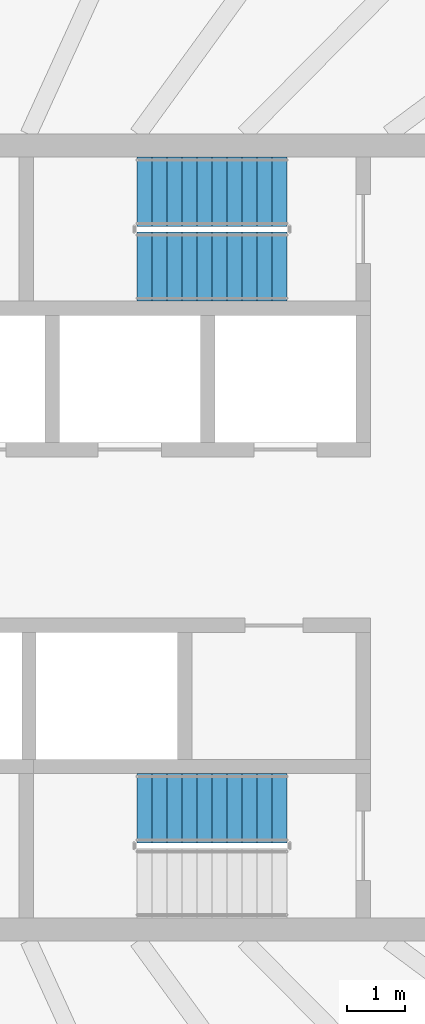
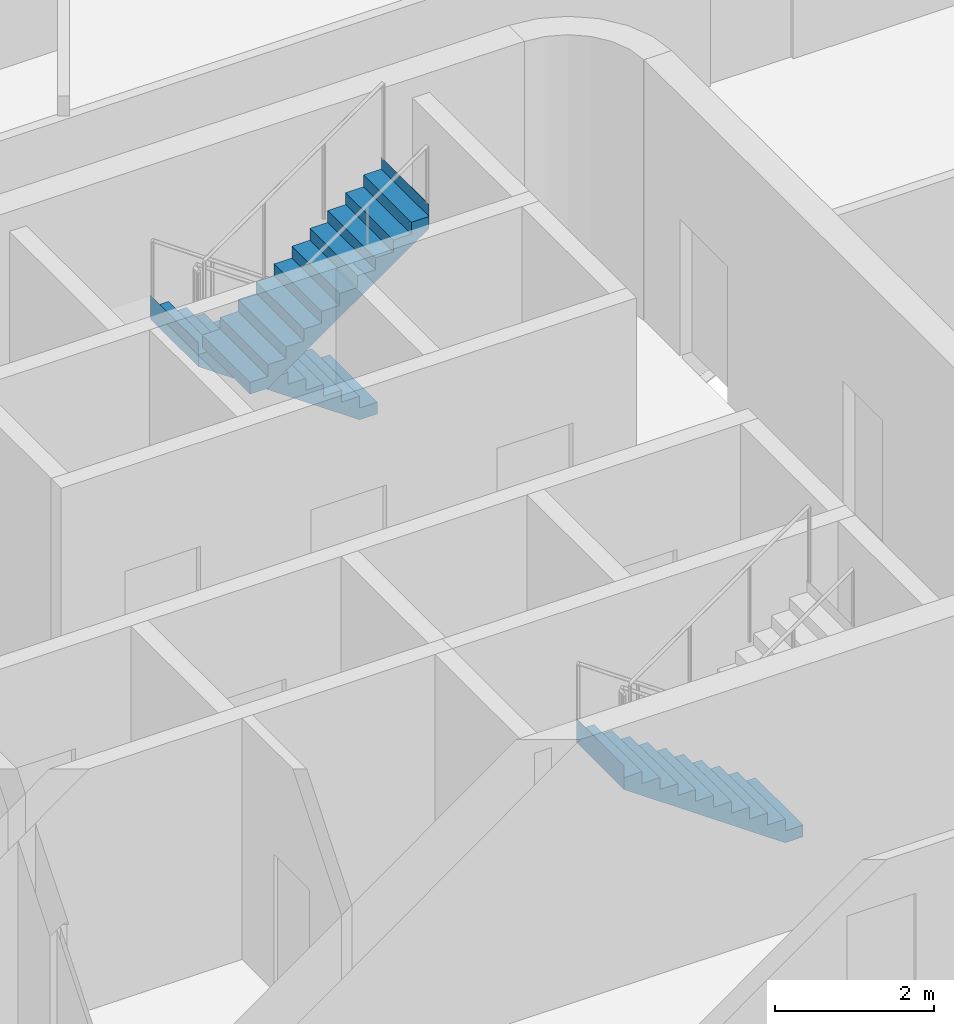
# One storey, part 15 of 20: 3 stair flights, 2 elements without a shape of their own.
"""IFC4 building model written with IfcOpenShell, lengths in metres."""

from ifc_helpers import new_model, si_unit, direction, frame, origin, place, context, subcontext, project, spatial, triangles, material, type_object, element, aggregate, save


model = new_model("IFC4")

# Units and contexts
model_context = context("Model", 3, precision=1e-05, world=origin(), true_north=direction((0.0, 1.0)))
body_context = subcontext(model_context, "Body", "Model", "MODEL_VIEW")
ifc_project = project(units=[si_unit("LENGTHUNIT", "METRE"), si_unit("AREAUNIT", "SQUARE_METRE"), si_unit("VOLUMEUNIT", "CUBIC_METRE"), si_unit("PLANEANGLEUNIT", "RADIAN"), si_unit("MASSUNIT", "GRAM", prefix="KILO")], contexts=[model_context])

# Site, building, storey
site_placement = place(None, origin())
site = spatial("IfcSite", under=ifc_project, at=site_placement, CompositionType="ELEMENT")
building_placement = place(site_placement, origin())
building = spatial("IfcBuilding", under=site, at=building_placement, Name="Sahrelin Media Tower", CompositionType="ELEMENT")
storey_placement = place(building_placement, frame((0.0, 0.0, 245.60009765625)))
storey = spatial("IfcBuildingStorey", under=building, at=storey_placement, Name="L53", CompositionType="ELEMENT", Elevation=245.60009765625)

# Stair, stair flights
ifc_material = material(Name="Concrete C40/50", Category="concrete")
stair_type = type_object("IfcStairType", Name="Exit stair 1200", PredefinedType="HALF_TURN_STAIR", material=ifc_material)
placement = place(storey_placement, origin())
stair_1 = element("IfcStair", 1, at=placement, inside=storey, type_object=stair_type, Name="L53 Exit stair ST3", PredefinedType="HALF_TURN_STAIR")
stair_flight_type = type_object("IfcStairFlightType", Name="Stair flight 1200", PredefinedType="STRAIGHT", material=ifc_material)
stair_flight_1_placement = place(storey_placement, frame((7.675048828125, 6.0, 0.0), z_axis=(0.0, 0.0, 1.0), x_axis=(-1.0, 0.0, 0.0)))
stair_flight_1 = element("IfcStairFlight", 2, at=stair_flight_1_placement, type_object=stair_flight_type, Name="ST3 flight 1", NumberOfRisers=11, NumberOfTreads=10, PredefinedType="STRAIGHT", RiserHeight=0.181818182, TreadLength=0.26, context=body_context, shape_type="Tessellation", body=[
    triangles([(0.261474609375, 0.60009765625, 0.0), (0.261474609375, 0.300048828125, 0.0), (0.261474609375, 0.0, 0.0), (0.261474609375, -0.300048828125, 0.0), (0.261474609375, -0.60009765625, 0.0), (2.60009765625, 0.60009765625, 1.63525390625), (2.60009765625, 0.300048828125, 1.63525390625), (2.60009765625, 0.0, 1.63525390625), (2.60009765625, -0.300048828125, 1.63525390625), (2.60009765625, -0.60009765625, 1.63525390625), (2.60009765625, 0.60009765625, 2.0), (2.60009765625, 0.300048828125, 2.0), (2.60009765625, 0.0, 2.0), (2.60009765625, -0.300048828125, 2.0), (2.60009765625, -0.60009765625, 2.0), (2.597900390625, 0.60009765625, 2.0), (2.597900390625, 0.300048828125, 2.0), (2.597900390625, 0.0, 2.0), (2.597900390625, -0.300048828125, 2.0), (2.597900390625, -0.60009765625, 2.0), (2.597900390625, 0.60009765625, 1.818115234375), (2.597900390625, 0.300048828125, 1.818115234375), (2.597900390625, 0.0, 1.818115234375), (2.597900390625, -0.300048828125, 1.818115234375), (2.597900390625, -0.60009765625, 1.818115234375), (2.340087890625, 0.60009765625, 1.818115234375), (2.340087890625, 0.300048828125, 1.818115234375), (2.340087890625, 0.0, 1.818115234375), (2.340087890625, -0.300048828125, 1.818115234375), (2.340087890625, -0.60009765625, 1.818115234375), (2.340087890625, 0.60009765625, 1.636474609375), (2.340087890625, 0.300048828125, 1.636474609375), (2.340087890625, 0.0, 1.636474609375), (2.340087890625, -0.300048828125, 1.636474609375), (2.340087890625, -0.60009765625, 1.636474609375), (2.080078125, 0.60009765625, 1.636474609375), (2.080078125, 0.300048828125, 1.636474609375), (2.080078125, 0.0, 1.636474609375), (2.080078125, -0.300048828125, 1.636474609375), (2.080078125, -0.60009765625, 1.636474609375), (2.080078125, 0.60009765625, 1.45458984375), (2.080078125, 0.300048828125, 1.45458984375), (2.080078125, 0.0, 1.45458984375), (2.080078125, -0.300048828125, 1.45458984375), (2.080078125, -0.60009765625, 1.45458984375), (1.820068359375, 0.60009765625, 1.45458984375), (1.820068359375, 0.300048828125, 1.45458984375), (1.820068359375, 0.0, 1.45458984375), (1.820068359375, -0.300048828125, 1.45458984375), (1.820068359375, -0.60009765625, 1.45458984375), (1.820068359375, 0.60009765625, 1.272705078125), (1.820068359375, 0.300048828125, 1.272705078125), (1.820068359375, 0.0, 1.272705078125), (1.820068359375, -0.300048828125, 1.272705078125), (1.820068359375, -0.60009765625, 1.272705078125), (1.56005859375, 0.60009765625, 1.272705078125), (1.56005859375, 0.300048828125, 1.272705078125), (1.56005859375, 0.0, 1.272705078125), (1.56005859375, -0.300048828125, 1.272705078125), (1.56005859375, -0.60009765625, 1.272705078125), (1.56005859375, 0.60009765625, 1.0908203125), (1.56005859375, 0.300048828125, 1.0908203125), (1.56005859375, 0.0, 1.0908203125), (1.56005859375, -0.300048828125, 1.0908203125), (1.56005859375, -0.60009765625, 1.0908203125), (1.300048828125, 0.60009765625, 1.0908203125), (1.300048828125, 0.300048828125, 1.0908203125), (1.300048828125, 0.0, 1.0908203125), (1.300048828125, -0.300048828125, 1.0908203125), (1.300048828125, -0.60009765625, 1.0908203125), (1.300048828125, 0.60009765625, 0.9091796875), (1.300048828125, 0.300048828125, 0.9091796875), (1.300048828125, 0.0, 0.9091796875), (1.300048828125, -0.300048828125, 0.9091796875), (1.300048828125, -0.60009765625, 0.9091796875), (1.0400390625, 0.60009765625, 0.9091796875), (1.0400390625, 0.300048828125, 0.9091796875), (1.0400390625, 0.0, 0.9091796875), (1.0400390625, -0.300048828125, 0.9091796875), (1.0400390625, -0.60009765625, 0.9091796875), (1.0400390625, 0.60009765625, 0.727294921875), (1.0400390625, 0.300048828125, 0.727294921875), (1.0400390625, 0.0, 0.727294921875), (1.0400390625, -0.300048828125, 0.727294921875), (1.0400390625, -0.60009765625, 0.727294921875), (0.780029296875, 0.60009765625, 0.727294921875), (0.780029296875, 0.300048828125, 0.727294921875), (0.780029296875, 0.0, 0.727294921875), (0.780029296875, -0.300048828125, 0.727294921875), (0.780029296875, -0.60009765625, 0.727294921875), (0.780029296875, 0.60009765625, 0.54541015625), (0.780029296875, 0.300048828125, 0.54541015625), (0.780029296875, 0.0, 0.54541015625), (0.780029296875, -0.300048828125, 0.54541015625), (0.780029296875, -0.60009765625, 0.54541015625), (0.52001953125, 0.60009765625, 0.54541015625), (0.52001953125, 0.300048828125, 0.54541015625), (0.52001953125, 0.0, 0.54541015625), (0.52001953125, -0.300048828125, 0.54541015625), (0.52001953125, -0.60009765625, 0.54541015625), (0.52001953125, 0.60009765625, 0.363525390625), (0.52001953125, 0.300048828125, 0.363525390625), (0.52001953125, 0.0, 0.363525390625), (0.52001953125, -0.300048828125, 0.363525390625), (0.52001953125, -0.60009765625, 0.363525390625), (0.260009765625, 0.60009765625, 0.363525390625), (0.260009765625, 0.300048828125, 0.363525390625), (0.260009765625, 0.0, 0.363525390625), (0.260009765625, -0.300048828125, 0.363525390625), (0.260009765625, -0.60009765625, 0.363525390625), (0.260009765625, 0.60009765625, 0.181884765625), (0.260009765625, 0.300048828125, 0.181884765625), (0.260009765625, 0.0, 0.181884765625), (0.260009765625, -0.300048828125, 0.181884765625), (0.260009765625, -0.60009765625, 0.181884765625), (0.0, 0.60009765625, 0.181884765625), (0.0, 0.300048828125, 0.181884765625), (0.0, 0.0, 0.181884765625), (0.0, -0.300048828125, 0.181884765625), (0.0, -0.60009765625, 0.181884765625), (0.0, 0.60009765625, 0.0), (0.0, 0.300048828125, 0.0), (0.0, 0.0, 0.0), (0.0, -0.300048828125, 0.0), (0.0, -0.60009765625, 0.0)], [[1, 6, 7], [1, 7, 2], [2, 7, 8], [2, 8, 3], [3, 8, 9], [3, 9, 4], [4, 9, 10], [4, 10, 5], [6, 11, 12], [6, 12, 7], [7, 12, 13], [7, 13, 8], [8, 13, 14], [8, 14, 9], [9, 14, 15], [9, 15, 10], [11, 16, 17], [11, 17, 12], [12, 17, 18], [12, 18, 13], [13, 18, 19], [13, 19, 14], [14, 19, 20], [14, 20, 15], [16, 21, 22], [16, 22, 17], [17, 22, 23], [17, 23, 18], [18, 23, 24], [18, 24, 19], [19, 24, 25], [19, 25, 20], [21, 26, 27], [21, 27, 22], [22, 27, 28], [22, 28, 23], [23, 28, 29], [23, 29, 24], [24, 29, 30], [24, 30, 25], [26, 31, 32], [26, 32, 27], [27, 32, 33], [27, 33, 28], [28, 33, 34], [28, 34, 29], [29, 34, 35], [29, 35, 30], [31, 36, 37], [31, 37, 32], [32, 37, 38], [32, 38, 33], [33, 38, 39], [33, 39, 34], [34, 39, 40], [34, 40, 35], [36, 41, 42], [36, 42, 37], [37, 42, 43], [37, 43, 38], [38, 43, 44], [38, 44, 39], [39, 44, 45], [39, 45, 40], [41, 46, 47], [41, 47, 42], [42, 47, 48], [42, 48, 43], [43, 48, 49], [43, 49, 44], [44, 49, 50], [44, 50, 45], [46, 51, 52], [46, 52, 47], [47, 52, 53], [47, 53, 48], [48, 53, 54], [48, 54, 49], [49, 54, 55], [49, 55, 50], [51, 56, 57], [51, 57, 52], [52, 57, 58], [52, 58, 53], [53, 58, 59], [53, 59, 54], [54, 59, 60], [54, 60, 55], [56, 61, 62], [56, 62, 57], [57, 62, 63], [57, 63, 58], [58, 63, 64], [58, 64, 59], [59, 64, 65], [59, 65, 60], [61, 66, 67], [61, 67, 62], [62, 67, 68], [62, 68, 63], [63, 68, 69], [63, 69, 64], [64, 69, 70], [64, 70, 65], [66, 71, 72], [66, 72, 67], [67, 72, 73], [67, 73, 68], [68, 73, 74], [68, 74, 69], [69, 74, 75], [69, 75, 70], [71, 76, 77], [71, 77, 72], [72, 77, 78], [72, 78, 73], [73, 78, 79], [73, 79, 74], [74, 79, 80], [74, 80, 75], [76, 81, 82], [76, 82, 77], [77, 82, 83], [77, 83, 78], [78, 83, 84], [78, 84, 79], [79, 84, 85], [79, 85, 80], [81, 86, 87], [81, 87, 82], [82, 87, 88], [82, 88, 83], [83, 88, 89], [83, 89, 84], [84, 89, 90], [84, 90, 85], [86, 91, 92], [86, 92, 87], [87, 92, 93], [87, 93, 88], [88, 93, 94], [88, 94, 89], [89, 94, 95], [89, 95, 90], [91, 96, 97], [91, 97, 92], [92, 97, 98], [92, 98, 93], [93, 98, 99], [93, 99, 94], [94, 99, 100], [94, 100, 95], [96, 101, 102], [96, 102, 97], [97, 102, 103], [97, 103, 98], [98, 103, 104], [98, 104, 99], [99, 104, 105], [99, 105, 100], [101, 106, 107], [101, 107, 102], [102, 107, 108], [102, 108, 103], [103, 108, 109], [103, 109, 104], [104, 109, 110], [104, 110, 105], [106, 111, 112], [106, 112, 107], [107, 112, 113], [107, 113, 108], [108, 113, 114], [108, 114, 109], [109, 114, 115], [109, 115, 110], [111, 116, 117], [111, 117, 112], [112, 117, 118], [112, 118, 113], [113, 118, 119], [113, 119, 114], [114, 119, 120], [114, 120, 115], [116, 121, 122], [116, 122, 117], [117, 122, 123], [117, 123, 118], [118, 123, 124], [118, 124, 119], [119, 124, 125], [119, 125, 120], [121, 1, 2], [121, 2, 122], [122, 2, 3], [122, 3, 123], [123, 3, 4], [123, 4, 124], [124, 4, 5], [124, 5, 125], [115, 120, 125], [111, 121, 116], [115, 105, 110], [111, 106, 101], [105, 95, 100], [101, 96, 91], [95, 85, 90], [91, 86, 81], [85, 75, 80], [81, 76, 71], [75, 65, 70], [71, 66, 61], [65, 55, 60], [61, 56, 51], [55, 45, 50], [51, 46, 41], [45, 35, 40], [41, 36, 31], [35, 25, 30], [31, 26, 21], [25, 15, 20], [21, 16, 11], [125, 5, 115], [121, 111, 1], [25, 10, 15], [21, 11, 6], [105, 115, 5], [101, 1, 111], [35, 10, 25], [31, 21, 6], [95, 105, 5], [91, 1, 101], [45, 10, 35], [41, 31, 6], [85, 95, 5], [81, 1, 91], [55, 10, 45], [51, 41, 6], [75, 85, 5], [71, 1, 81], [65, 10, 55], [61, 51, 6], [5, 10, 75], [1, 71, 6], [75, 10, 65], [71, 61, 6]], closed=True),
])
stair_flight_2_placement = place(storey_placement, frame((5.074951171875, 4.699951171875, 2.0), z_axis=(0.0, 0.0, 1.0), x_axis=(1.0, 0.0, 0.0)))
stair_flight_2 = element("IfcStairFlight", 3, at=stair_flight_2_placement, type_object=stair_flight_type, Name="ST3 flight 2", NumberOfRisers=11, NumberOfTreads=10, PredefinedType="STRAIGHT", RiserHeight=0.181818182, TreadLength=0.26, context=body_context, shape_type="Tessellation", body=[
    triangles([(0.261474609375, 0.60009765625, 0.0), (0.261474609375, 0.300048828125, 0.0), (0.261474609375, 0.0, 0.0), (0.261474609375, -0.300048828125, 0.0), (0.261474609375, -0.60009765625, 0.0), (2.60009765625, 0.60009765625, 1.63525390625), (2.60009765625, 0.300048828125, 1.63525390625), (2.60009765625, 0.0, 1.63525390625), (2.60009765625, -0.300048828125, 1.63525390625), (2.60009765625, -0.60009765625, 1.63525390625), (2.60009765625, 0.60009765625, 2.0), (2.60009765625, 0.300048828125, 2.0), (2.60009765625, 0.0, 2.0), (2.60009765625, -0.300048828125, 2.0), (2.60009765625, -0.60009765625, 2.0), (2.597900390625, 0.60009765625, 2.0), (2.597900390625, 0.300048828125, 2.0), (2.597900390625, 0.0, 2.0), (2.597900390625, -0.300048828125, 2.0), (2.597900390625, -0.60009765625, 2.0), (2.597900390625, 0.60009765625, 1.818115234375), (2.597900390625, 0.300048828125, 1.818115234375), (2.597900390625, 0.0, 1.818115234375), (2.597900390625, -0.300048828125, 1.818115234375), (2.597900390625, -0.60009765625, 1.818115234375), (2.340087890625, 0.60009765625, 1.818115234375), (2.340087890625, 0.300048828125, 1.818115234375), (2.340087890625, 0.0, 1.818115234375), (2.340087890625, -0.300048828125, 1.818115234375), (2.340087890625, -0.60009765625, 1.818115234375), (2.340087890625, 0.60009765625, 1.636474609375), (2.340087890625, 0.300048828125, 1.636474609375), (2.340087890625, 0.0, 1.636474609375), (2.340087890625, -0.300048828125, 1.636474609375), (2.340087890625, -0.60009765625, 1.636474609375), (2.080078125, 0.60009765625, 1.636474609375), (2.080078125, 0.300048828125, 1.636474609375), (2.080078125, 0.0, 1.636474609375), (2.080078125, -0.300048828125, 1.636474609375), (2.080078125, -0.60009765625, 1.636474609375), (2.080078125, 0.60009765625, 1.45458984375), (2.080078125, 0.300048828125, 1.45458984375), (2.080078125, 0.0, 1.45458984375), (2.080078125, -0.300048828125, 1.45458984375), (2.080078125, -0.60009765625, 1.45458984375), (1.820068359375, 0.60009765625, 1.45458984375), (1.820068359375, 0.300048828125, 1.45458984375), (1.820068359375, 0.0, 1.45458984375), (1.820068359375, -0.300048828125, 1.45458984375), (1.820068359375, -0.60009765625, 1.45458984375), (1.820068359375, 0.60009765625, 1.272705078125), (1.820068359375, 0.300048828125, 1.272705078125), (1.820068359375, 0.0, 1.272705078125), (1.820068359375, -0.300048828125, 1.272705078125), (1.820068359375, -0.60009765625, 1.272705078125), (1.56005859375, 0.60009765625, 1.272705078125), (1.56005859375, 0.300048828125, 1.272705078125), (1.56005859375, 0.0, 1.272705078125), (1.56005859375, -0.300048828125, 1.272705078125), (1.56005859375, -0.60009765625, 1.272705078125), (1.56005859375, 0.60009765625, 1.0908203125), (1.56005859375, 0.300048828125, 1.0908203125), (1.56005859375, 0.0, 1.0908203125), (1.56005859375, -0.300048828125, 1.0908203125), (1.56005859375, -0.60009765625, 1.0908203125), (1.300048828125, 0.60009765625, 1.0908203125), (1.300048828125, 0.300048828125, 1.0908203125), (1.300048828125, 0.0, 1.0908203125), (1.300048828125, -0.300048828125, 1.0908203125), (1.300048828125, -0.60009765625, 1.0908203125), (1.300048828125, 0.60009765625, 0.9091796875), (1.300048828125, 0.300048828125, 0.9091796875), (1.300048828125, 0.0, 0.9091796875), (1.300048828125, -0.300048828125, 0.9091796875), (1.300048828125, -0.60009765625, 0.9091796875), (1.0400390625, 0.60009765625, 0.9091796875), (1.0400390625, 0.300048828125, 0.9091796875), (1.0400390625, 0.0, 0.9091796875), (1.0400390625, -0.300048828125, 0.9091796875), (1.0400390625, -0.60009765625, 0.9091796875), (1.0400390625, 0.60009765625, 0.727294921875), (1.0400390625, 0.300048828125, 0.727294921875), (1.0400390625, 0.0, 0.727294921875), (1.0400390625, -0.300048828125, 0.727294921875), (1.0400390625, -0.60009765625, 0.727294921875), (0.780029296875, 0.60009765625, 0.727294921875), (0.780029296875, 0.300048828125, 0.727294921875), (0.780029296875, 0.0, 0.727294921875), (0.780029296875, -0.300048828125, 0.727294921875), (0.780029296875, -0.60009765625, 0.727294921875), (0.780029296875, 0.60009765625, 0.54541015625), (0.780029296875, 0.300048828125, 0.54541015625), (0.780029296875, 0.0, 0.54541015625), (0.780029296875, -0.300048828125, 0.54541015625), (0.780029296875, -0.60009765625, 0.54541015625), (0.52001953125, 0.60009765625, 0.54541015625), (0.52001953125, 0.300048828125, 0.54541015625), (0.52001953125, 0.0, 0.54541015625), (0.52001953125, -0.300048828125, 0.54541015625), (0.52001953125, -0.60009765625, 0.54541015625), (0.52001953125, 0.60009765625, 0.363525390625), (0.52001953125, 0.300048828125, 0.363525390625), (0.52001953125, 0.0, 0.363525390625), (0.52001953125, -0.300048828125, 0.363525390625), (0.52001953125, -0.60009765625, 0.363525390625), (0.260009765625, 0.60009765625, 0.363525390625), (0.260009765625, 0.300048828125, 0.363525390625), (0.260009765625, 0.0, 0.363525390625), (0.260009765625, -0.300048828125, 0.363525390625), (0.260009765625, -0.60009765625, 0.363525390625), (0.260009765625, 0.60009765625, 0.181884765625), (0.260009765625, 0.300048828125, 0.181884765625), (0.260009765625, 0.0, 0.181884765625), (0.260009765625, -0.300048828125, 0.181884765625), (0.260009765625, -0.60009765625, 0.181884765625), (0.0, 0.60009765625, 0.181884765625), (0.0, 0.300048828125, 0.181884765625), (0.0, 0.0, 0.181884765625), (0.0, -0.300048828125, 0.181884765625), (0.0, -0.60009765625, 0.181884765625), (0.0, 0.60009765625, 0.0), (0.0, 0.300048828125, 0.0), (0.0, 0.0, 0.0), (0.0, -0.300048828125, 0.0), (0.0, -0.60009765625, 0.0)], [[1, 6, 7], [1, 7, 2], [2, 7, 8], [2, 8, 3], [3, 8, 9], [3, 9, 4], [4, 9, 10], [4, 10, 5], [6, 11, 12], [6, 12, 7], [7, 12, 13], [7, 13, 8], [8, 13, 14], [8, 14, 9], [9, 14, 15], [9, 15, 10], [11, 16, 17], [11, 17, 12], [12, 17, 18], [12, 18, 13], [13, 18, 19], [13, 19, 14], [14, 19, 20], [14, 20, 15], [16, 21, 22], [16, 22, 17], [17, 22, 23], [17, 23, 18], [18, 23, 24], [18, 24, 19], [19, 24, 25], [19, 25, 20], [21, 26, 27], [21, 27, 22], [22, 27, 28], [22, 28, 23], [23, 28, 29], [23, 29, 24], [24, 29, 30], [24, 30, 25], [26, 31, 32], [26, 32, 27], [27, 32, 33], [27, 33, 28], [28, 33, 34], [28, 34, 29], [29, 34, 35], [29, 35, 30], [31, 36, 37], [31, 37, 32], [32, 37, 38], [32, 38, 33], [33, 38, 39], [33, 39, 34], [34, 39, 40], [34, 40, 35], [36, 41, 42], [36, 42, 37], [37, 42, 43], [37, 43, 38], [38, 43, 44], [38, 44, 39], [39, 44, 45], [39, 45, 40], [41, 46, 47], [41, 47, 42], [42, 47, 48], [42, 48, 43], [43, 48, 49], [43, 49, 44], [44, 49, 50], [44, 50, 45], [46, 51, 52], [46, 52, 47], [47, 52, 53], [47, 53, 48], [48, 53, 54], [48, 54, 49], [49, 54, 55], [49, 55, 50], [51, 56, 57], [51, 57, 52], [52, 57, 58], [52, 58, 53], [53, 58, 59], [53, 59, 54], [54, 59, 60], [54, 60, 55], [56, 61, 62], [56, 62, 57], [57, 62, 63], [57, 63, 58], [58, 63, 64], [58, 64, 59], [59, 64, 65], [59, 65, 60], [61, 66, 67], [61, 67, 62], [62, 67, 68], [62, 68, 63], [63, 68, 69], [63, 69, 64], [64, 69, 70], [64, 70, 65], [66, 71, 72], [66, 72, 67], [67, 72, 73], [67, 73, 68], [68, 73, 74], [68, 74, 69], [69, 74, 75], [69, 75, 70], [71, 76, 77], [71, 77, 72], [72, 77, 78], [72, 78, 73], [73, 78, 79], [73, 79, 74], [74, 79, 80], [74, 80, 75], [76, 81, 82], [76, 82, 77], [77, 82, 83], [77, 83, 78], [78, 83, 84], [78, 84, 79], [79, 84, 85], [79, 85, 80], [81, 86, 87], [81, 87, 82], [82, 87, 88], [82, 88, 83], [83, 88, 89], [83, 89, 84], [84, 89, 90], [84, 90, 85], [86, 91, 92], [86, 92, 87], [87, 92, 93], [87, 93, 88], [88, 93, 94], [88, 94, 89], [89, 94, 95], [89, 95, 90], [91, 96, 97], [91, 97, 92], [92, 97, 98], [92, 98, 93], [93, 98, 99], [93, 99, 94], [94, 99, 100], [94, 100, 95], [96, 101, 102], [96, 102, 97], [97, 102, 103], [97, 103, 98], [98, 103, 104], [98, 104, 99], [99, 104, 105], [99, 105, 100], [101, 106, 107], [101, 107, 102], [102, 107, 108], [102, 108, 103], [103, 108, 109], [103, 109, 104], [104, 109, 110], [104, 110, 105], [106, 111, 112], [106, 112, 107], [107, 112, 113], [107, 113, 108], [108, 113, 114], [108, 114, 109], [109, 114, 115], [109, 115, 110], [111, 116, 117], [111, 117, 112], [112, 117, 118], [112, 118, 113], [113, 118, 119], [113, 119, 114], [114, 119, 120], [114, 120, 115], [116, 121, 122], [116, 122, 117], [117, 122, 123], [117, 123, 118], [118, 123, 124], [118, 124, 119], [119, 124, 125], [119, 125, 120], [121, 1, 2], [121, 2, 122], [122, 2, 3], [122, 3, 123], [123, 3, 4], [123, 4, 124], [124, 4, 5], [124, 5, 125], [115, 120, 125], [111, 121, 116], [115, 105, 110], [111, 106, 101], [105, 95, 100], [101, 96, 91], [95, 85, 90], [91, 86, 81], [85, 75, 80], [81, 76, 71], [75, 65, 70], [71, 66, 61], [65, 55, 60], [61, 56, 51], [55, 45, 50], [51, 46, 41], [45, 35, 40], [41, 36, 31], [35, 25, 30], [31, 26, 21], [25, 15, 20], [21, 16, 11], [125, 5, 115], [121, 111, 1], [25, 10, 15], [21, 11, 6], [105, 115, 5], [101, 1, 111], [35, 10, 25], [31, 21, 6], [95, 105, 5], [91, 1, 101], [45, 10, 35], [41, 31, 6], [85, 95, 5], [81, 1, 91], [55, 10, 45], [51, 41, 6], [75, 85, 5], [71, 1, 81], [65, 10, 55], [61, 51, 6], [5, 10, 75], [1, 71, 6], [75, 10, 65], [71, 61, 6]], closed=True),
])
aggregate(stair_1, [stair_flight_1, stair_flight_2])

# Stair, stair flight
stair_2 = element("IfcStair", 4, at=placement, inside=storey, type_object=stair_type, Name="L53 Exit stair ST2", PredefinedType="HALF_TURN_STAIR")
stair_flight_3_placement = place(storey_placement, frame((7.675048828125, -4.699951171875, 0.0), z_axis=(0.0, 0.0, 1.0), x_axis=(-1.0, 0.0, 0.0)))
stair_flight_3 = element("IfcStairFlight", 5, at=stair_flight_3_placement, type_object=stair_flight_type, Name="ST2 flight 1", NumberOfRisers=11, NumberOfTreads=10, PredefinedType="STRAIGHT", RiserHeight=0.181818182, TreadLength=0.26, context=body_context, shape_type="Tessellation", body=[
    triangles([(0.261474609375, 0.60009765625, 0.0), (0.261474609375, 0.300048828125, 0.0), (0.261474609375, 0.0, 0.0), (0.261474609375, -0.300048828125, 0.0), (0.261474609375, -0.60009765625, 0.0), (2.60009765625, 0.60009765625, 1.63525390625), (2.60009765625, 0.300048828125, 1.63525390625), (2.60009765625, 0.0, 1.63525390625), (2.60009765625, -0.300048828125, 1.63525390625), (2.60009765625, -0.60009765625, 1.63525390625), (2.60009765625, 0.60009765625, 2.0), (2.60009765625, 0.300048828125, 2.0), (2.60009765625, 0.0, 2.0), (2.60009765625, -0.300048828125, 2.0), (2.60009765625, -0.60009765625, 2.0), (2.597900390625, 0.60009765625, 2.0), (2.597900390625, 0.300048828125, 2.0), (2.597900390625, 0.0, 2.0), (2.597900390625, -0.300048828125, 2.0), (2.597900390625, -0.60009765625, 2.0), (2.597900390625, 0.60009765625, 1.818115234375), (2.597900390625, 0.300048828125, 1.818115234375), (2.597900390625, 0.0, 1.818115234375), (2.597900390625, -0.300048828125, 1.818115234375), (2.597900390625, -0.60009765625, 1.818115234375), (2.340087890625, 0.60009765625, 1.818115234375), (2.340087890625, 0.300048828125, 1.818115234375), (2.340087890625, 0.0, 1.818115234375), (2.340087890625, -0.300048828125, 1.818115234375), (2.340087890625, -0.60009765625, 1.818115234375), (2.340087890625, 0.60009765625, 1.636474609375), (2.340087890625, 0.300048828125, 1.636474609375), (2.340087890625, 0.0, 1.636474609375), (2.340087890625, -0.300048828125, 1.636474609375), (2.340087890625, -0.60009765625, 1.636474609375), (2.080078125, 0.60009765625, 1.636474609375), (2.080078125, 0.300048828125, 1.636474609375), (2.080078125, 0.0, 1.636474609375), (2.080078125, -0.300048828125, 1.636474609375), (2.080078125, -0.60009765625, 1.636474609375), (2.080078125, 0.60009765625, 1.45458984375), (2.080078125, 0.300048828125, 1.45458984375), (2.080078125, 0.0, 1.45458984375), (2.080078125, -0.300048828125, 1.45458984375), (2.080078125, -0.60009765625, 1.45458984375), (1.820068359375, 0.60009765625, 1.45458984375), (1.820068359375, 0.300048828125, 1.45458984375), (1.820068359375, 0.0, 1.45458984375), (1.820068359375, -0.300048828125, 1.45458984375), (1.820068359375, -0.60009765625, 1.45458984375), (1.820068359375, 0.60009765625, 1.272705078125), (1.820068359375, 0.300048828125, 1.272705078125), (1.820068359375, 0.0, 1.272705078125), (1.820068359375, -0.300048828125, 1.272705078125), (1.820068359375, -0.60009765625, 1.272705078125), (1.56005859375, 0.60009765625, 1.272705078125), (1.56005859375, 0.300048828125, 1.272705078125), (1.56005859375, 0.0, 1.272705078125), (1.56005859375, -0.300048828125, 1.272705078125), (1.56005859375, -0.60009765625, 1.272705078125), (1.56005859375, 0.60009765625, 1.0908203125), (1.56005859375, 0.300048828125, 1.0908203125), (1.56005859375, 0.0, 1.0908203125), (1.56005859375, -0.300048828125, 1.0908203125), (1.56005859375, -0.60009765625, 1.0908203125), (1.300048828125, 0.60009765625, 1.0908203125), (1.300048828125, 0.300048828125, 1.0908203125), (1.300048828125, 0.0, 1.0908203125), (1.300048828125, -0.300048828125, 1.0908203125), (1.300048828125, -0.60009765625, 1.0908203125), (1.300048828125, 0.60009765625, 0.9091796875), (1.300048828125, 0.300048828125, 0.9091796875), (1.300048828125, 0.0, 0.9091796875), (1.300048828125, -0.300048828125, 0.9091796875), (1.300048828125, -0.60009765625, 0.9091796875), (1.0400390625, 0.60009765625, 0.9091796875), (1.0400390625, 0.300048828125, 0.9091796875), (1.0400390625, 0.0, 0.9091796875), (1.0400390625, -0.300048828125, 0.9091796875), (1.0400390625, -0.60009765625, 0.9091796875), (1.0400390625, 0.60009765625, 0.727294921875), (1.0400390625, 0.300048828125, 0.727294921875), (1.0400390625, 0.0, 0.727294921875), (1.0400390625, -0.300048828125, 0.727294921875), (1.0400390625, -0.60009765625, 0.727294921875), (0.780029296875, 0.60009765625, 0.727294921875), (0.780029296875, 0.300048828125, 0.727294921875), (0.780029296875, 0.0, 0.727294921875), (0.780029296875, -0.300048828125, 0.727294921875), (0.780029296875, -0.60009765625, 0.727294921875), (0.780029296875, 0.60009765625, 0.54541015625), (0.780029296875, 0.300048828125, 0.54541015625), (0.780029296875, 0.0, 0.54541015625), (0.780029296875, -0.300048828125, 0.54541015625), (0.780029296875, -0.60009765625, 0.54541015625), (0.52001953125, 0.60009765625, 0.54541015625), (0.52001953125, 0.300048828125, 0.54541015625), (0.52001953125, 0.0, 0.54541015625), (0.52001953125, -0.300048828125, 0.54541015625), (0.52001953125, -0.60009765625, 0.54541015625), (0.52001953125, 0.60009765625, 0.363525390625), (0.52001953125, 0.300048828125, 0.363525390625), (0.52001953125, 0.0, 0.363525390625), (0.52001953125, -0.300048828125, 0.363525390625), (0.52001953125, -0.60009765625, 0.363525390625), (0.260009765625, 0.60009765625, 0.363525390625), (0.260009765625, 0.300048828125, 0.363525390625), (0.260009765625, 0.0, 0.363525390625), (0.260009765625, -0.300048828125, 0.363525390625), (0.260009765625, -0.60009765625, 0.363525390625), (0.260009765625, 0.60009765625, 0.181884765625), (0.260009765625, 0.300048828125, 0.181884765625), (0.260009765625, 0.0, 0.181884765625), (0.260009765625, -0.300048828125, 0.181884765625), (0.260009765625, -0.60009765625, 0.181884765625), (0.0, 0.60009765625, 0.181884765625), (0.0, 0.300048828125, 0.181884765625), (0.0, 0.0, 0.181884765625), (0.0, -0.300048828125, 0.181884765625), (0.0, -0.60009765625, 0.181884765625), (0.0, 0.60009765625, 0.0), (0.0, 0.300048828125, 0.0), (0.0, 0.0, 0.0), (0.0, -0.300048828125, 0.0), (0.0, -0.60009765625, 0.0)], [[1, 6, 7], [1, 7, 2], [2, 7, 8], [2, 8, 3], [3, 8, 9], [3, 9, 4], [4, 9, 10], [4, 10, 5], [6, 11, 12], [6, 12, 7], [7, 12, 13], [7, 13, 8], [8, 13, 14], [8, 14, 9], [9, 14, 15], [9, 15, 10], [11, 16, 17], [11, 17, 12], [12, 17, 18], [12, 18, 13], [13, 18, 19], [13, 19, 14], [14, 19, 20], [14, 20, 15], [16, 21, 22], [16, 22, 17], [17, 22, 23], [17, 23, 18], [18, 23, 24], [18, 24, 19], [19, 24, 25], [19, 25, 20], [21, 26, 27], [21, 27, 22], [22, 27, 28], [22, 28, 23], [23, 28, 29], [23, 29, 24], [24, 29, 30], [24, 30, 25], [26, 31, 32], [26, 32, 27], [27, 32, 33], [27, 33, 28], [28, 33, 34], [28, 34, 29], [29, 34, 35], [29, 35, 30], [31, 36, 37], [31, 37, 32], [32, 37, 38], [32, 38, 33], [33, 38, 39], [33, 39, 34], [34, 39, 40], [34, 40, 35], [36, 41, 42], [36, 42, 37], [37, 42, 43], [37, 43, 38], [38, 43, 44], [38, 44, 39], [39, 44, 45], [39, 45, 40], [41, 46, 47], [41, 47, 42], [42, 47, 48], [42, 48, 43], [43, 48, 49], [43, 49, 44], [44, 49, 50], [44, 50, 45], [46, 51, 52], [46, 52, 47], [47, 52, 53], [47, 53, 48], [48, 53, 54], [48, 54, 49], [49, 54, 55], [49, 55, 50], [51, 56, 57], [51, 57, 52], [52, 57, 58], [52, 58, 53], [53, 58, 59], [53, 59, 54], [54, 59, 60], [54, 60, 55], [56, 61, 62], [56, 62, 57], [57, 62, 63], [57, 63, 58], [58, 63, 64], [58, 64, 59], [59, 64, 65], [59, 65, 60], [61, 66, 67], [61, 67, 62], [62, 67, 68], [62, 68, 63], [63, 68, 69], [63, 69, 64], [64, 69, 70], [64, 70, 65], [66, 71, 72], [66, 72, 67], [67, 72, 73], [67, 73, 68], [68, 73, 74], [68, 74, 69], [69, 74, 75], [69, 75, 70], [71, 76, 77], [71, 77, 72], [72, 77, 78], [72, 78, 73], [73, 78, 79], [73, 79, 74], [74, 79, 80], [74, 80, 75], [76, 81, 82], [76, 82, 77], [77, 82, 83], [77, 83, 78], [78, 83, 84], [78, 84, 79], [79, 84, 85], [79, 85, 80], [81, 86, 87], [81, 87, 82], [82, 87, 88], [82, 88, 83], [83, 88, 89], [83, 89, 84], [84, 89, 90], [84, 90, 85], [86, 91, 92], [86, 92, 87], [87, 92, 93], [87, 93, 88], [88, 93, 94], [88, 94, 89], [89, 94, 95], [89, 95, 90], [91, 96, 97], [91, 97, 92], [92, 97, 98], [92, 98, 93], [93, 98, 99], [93, 99, 94], [94, 99, 100], [94, 100, 95], [96, 101, 102], [96, 102, 97], [97, 102, 103], [97, 103, 98], [98, 103, 104], [98, 104, 99], [99, 104, 105], [99, 105, 100], [101, 106, 107], [101, 107, 102], [102, 107, 108], [102, 108, 103], [103, 108, 109], [103, 109, 104], [104, 109, 110], [104, 110, 105], [106, 111, 112], [106, 112, 107], [107, 112, 113], [107, 113, 108], [108, 113, 114], [108, 114, 109], [109, 114, 115], [109, 115, 110], [111, 116, 117], [111, 117, 112], [112, 117, 118], [112, 118, 113], [113, 118, 119], [113, 119, 114], [114, 119, 120], [114, 120, 115], [116, 121, 122], [116, 122, 117], [117, 122, 123], [117, 123, 118], [118, 123, 124], [118, 124, 119], [119, 124, 125], [119, 125, 120], [121, 1, 2], [121, 2, 122], [122, 2, 3], [122, 3, 123], [123, 3, 4], [123, 4, 124], [124, 4, 5], [124, 5, 125], [115, 120, 125], [111, 121, 116], [115, 105, 110], [111, 106, 101], [105, 95, 100], [101, 96, 91], [95, 85, 90], [91, 86, 81], [85, 75, 80], [81, 76, 71], [75, 65, 70], [71, 66, 61], [65, 55, 60], [61, 56, 51], [55, 45, 50], [51, 46, 41], [45, 35, 40], [41, 36, 31], [35, 25, 30], [31, 26, 21], [25, 15, 20], [21, 16, 11], [125, 5, 115], [121, 111, 1], [25, 10, 15], [21, 11, 6], [105, 115, 5], [101, 1, 111], [35, 10, 25], [31, 21, 6], [95, 105, 5], [91, 1, 101], [45, 10, 35], [41, 31, 6], [85, 95, 5], [81, 1, 91], [55, 10, 45], [51, 41, 6], [75, 85, 5], [71, 1, 81], [65, 10, 55], [61, 51, 6], [5, 10, 75], [1, 71, 6], [75, 10, 65], [71, 61, 6]], closed=True),
])
aggregate(stair_2, [stair_flight_3])

save(model, "model.ifc")
